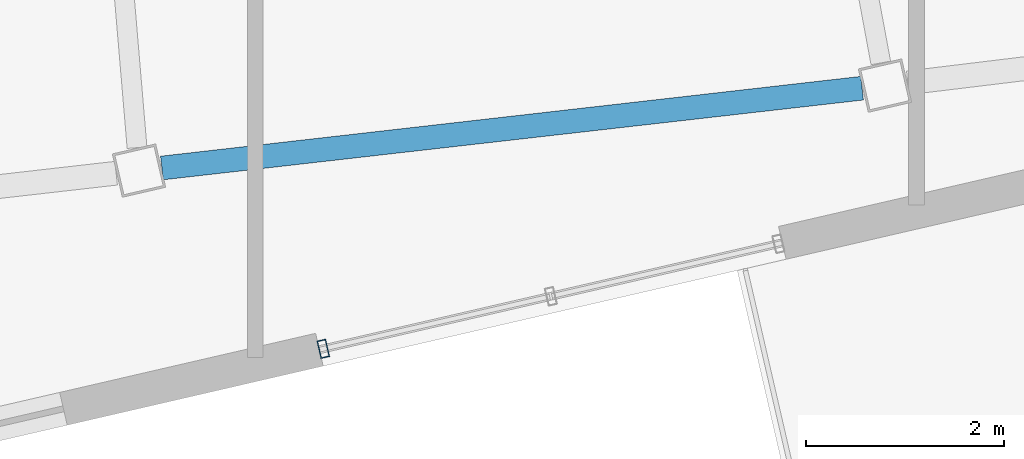
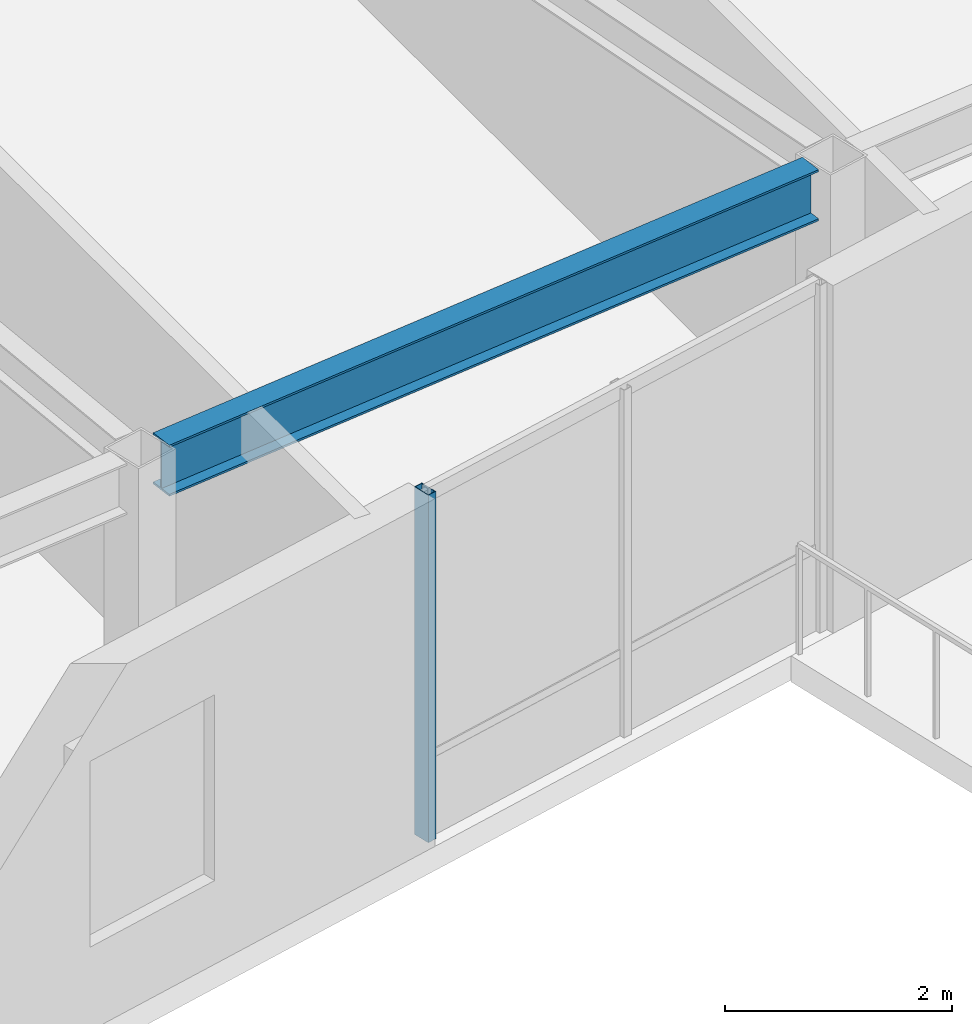
# One storey, part 5 of 24: 1 beam, 1 member, 1 element without a shape of its own.
"""IFC4 building model written with IfcOpenShell, lengths in metres."""

from ifc_helpers import new_model, si_unit, direction, frame, origin, origin_2d, place, context, subcontext, project, spatial, hollow_rectangle, i_section, extrude, material, layer, layer_set, material_profile, profile_set, type_object, element, aggregate, save


model = new_model("IFC4")

# Units and contexts
model_context = context("Model", 3, precision=1e-05, world=origin(), true_north=direction((0.0, 1.0)))
body_context = subcontext(model_context, "Body", "Model", "MODEL_VIEW")
ifc_project = project(units=[si_unit("LENGTHUNIT", "METRE"), si_unit("AREAUNIT", "SQUARE_METRE"), si_unit("VOLUMEUNIT", "CUBIC_METRE"), si_unit("PLANEANGLEUNIT", "RADIAN"), si_unit("MASSUNIT", "GRAM", prefix="KILO")], contexts=[model_context])

# Site, building, storey
site_placement = place(None, origin())
site = spatial("IfcSite", under=ifc_project, at=site_placement, CompositionType="ELEMENT")
building_placement = place(site_placement, origin())
building = spatial("IfcBuilding", under=site, at=building_placement, Name="Tavrogorsk Clinical Tower", CompositionType="ELEMENT")
storey_placement = place(building_placement, frame((0.0, 0.0, 325.0)))
storey = spatial("IfcBuildingStorey", under=building, at=storey_placement, Name="L76", CompositionType="ELEMENT", Elevation=325.0)

# Curtain wall, member
ifc_material_1 = material(Name="Anodised aluminium and triple IGU glazing", Category="aluminium")
ifc_layer = layer(ifc_material_1, 0.179931640625)
ifc_layer_set = layer_set([ifc_layer], Name="Anodised aluminium and triple IGU glazing")
curtain_wall_type = type_object("IfcCurtainWallType", Name="CW3_SouthSlot", PredefinedType="NOTDEFINED", material=ifc_layer_set)
curtain_wall_placement = place(storey_placement, origin())
curtain_wall = element("IfcCurtainWall", 1, at=curtain_wall_placement, inside=storey, type_object=curtain_wall_type, Name="L76 Curtain Wall CW-L76-S-SLOT-1", PredefinedType="NOTDEFINED")
ifc_material_2 = material(Name="Anodised aluminium alloy AW-6060", Category="aluminium")
ifc_material_profile_1 = material_profile(ifc_material_2, hollow_rectangle(XDim=0.090087890625, YDim=0.179931640625, WallThickness=0.00634765625, at=origin_2d()), Name="RHS-180x90x6.3")
ifc_profile_set_1 = profile_set([ifc_material_profile_1], Name="Anodised aluminium alloy AW-6060")
member_type = type_object("IfcMemberType", Name="CwMullion_180x90", PredefinedType="MULLION", material=ifc_profile_set_1)
member_placement = place(storey_placement, frame((-6.93212890625, -25.968994140625, 0.0), z_axis=(0.0, 0.0, 1.0), x_axis=(0.974370057377, 0.224951086434, 0.0)))
member = element("IfcMember", 2, at=member_placement, type_object=member_type, Name="CW-L76-S-SLOT-1 Mullion 1", PredefinedType="MULLION", context=body_context, shape_type="SweptSolid", body=[
    extrude(hollow_rectangle(XDim=0.090087890625, YDim=0.179931640625, WallThickness=0.00634765625, at=origin_2d()), origin(), (0.0, 0.0, 1.0), 3.739990234375),
])
aggregate(curtain_wall, [member])

# Beam
ifc_material_3 = material(Name="Structural steel S390", Category="steel")
ifc_material_profile_2 = material_profile(ifc_material_3, i_section(OverallWidth=0.239990234375, OverallDepth=0.550048828125, WebThickness=0.013916015625, FlangeThickness=0.02197265625, at=origin_2d()), Name="B-550x240x14x22")
ifc_profile_set_2 = profile_set([ifc_material_profile_2], Name="Structural steel S390")
beam_type = type_object("IfcBeamType", Name="SpandrelBeam_B550", PredefinedType="SPANDREL", material=ifc_profile_set_2)
beam_placement = place(storey_placement, frame((-8.5625, -24.14208984375, 3.465087890625), z_axis=(0.993572073137, 0.113201305126, 0.0), x_axis=(-0.113201305126, 0.993572073137, 0.0)))
element("IfcBeam", 3, at=beam_placement, inside=storey, type_object=beam_type, Name="L76 Perimeter Spandrel S3-S4", PredefinedType="SPANDREL", context=body_context, shape_type="SweptSolid", body=[
    extrude(i_section(OverallWidth=0.239990234375, OverallDepth=0.550048828125, WebThickness=0.013916015625, FlangeThickness=0.02197265625, at=origin_2d()), origin(), (0.0, 0.0, 1.0), 7.119140625),
])

save(model, "model.ifc")
